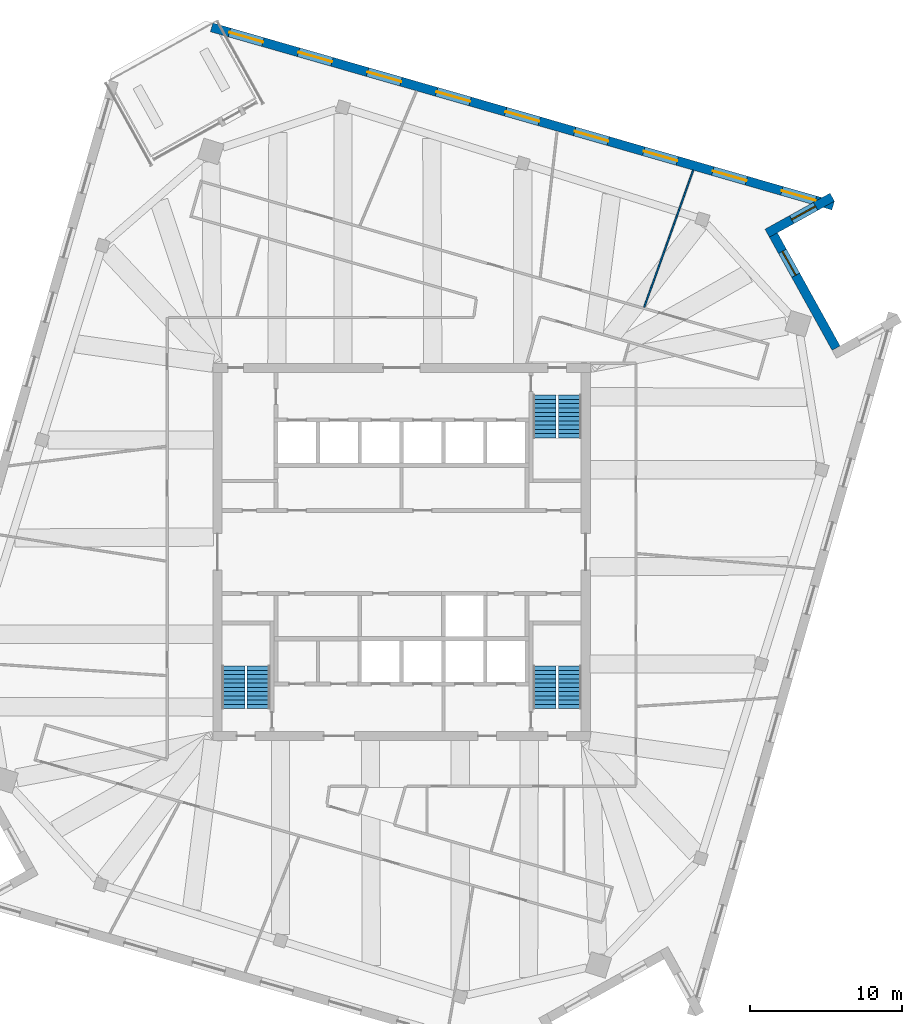
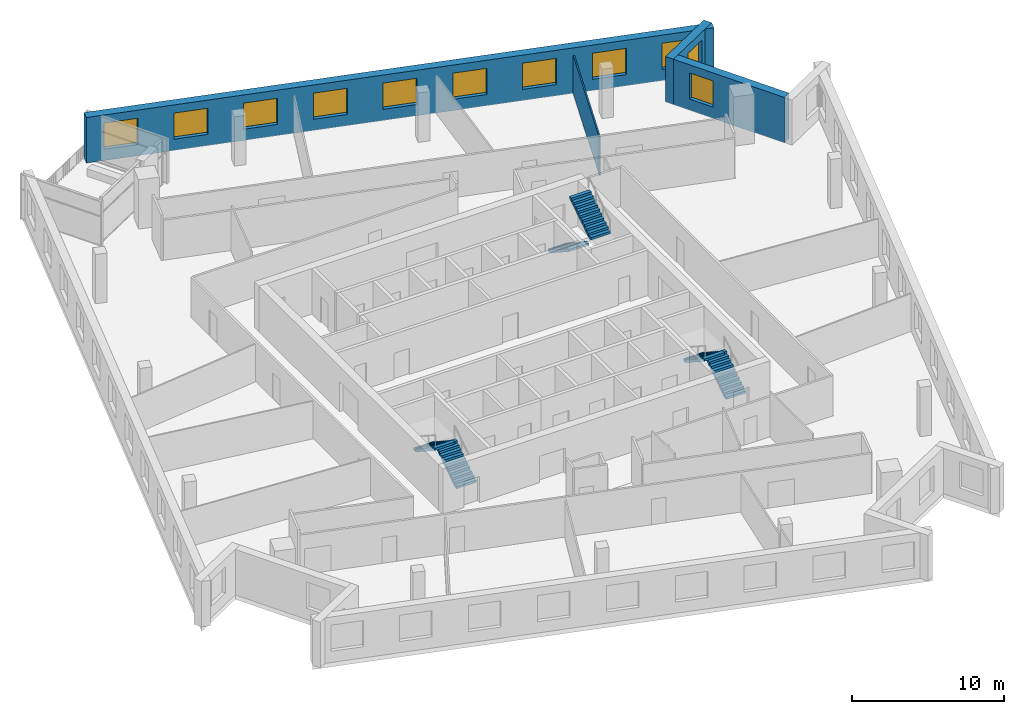
# One storey, part 12 of 15: 11 windows, 6 stair flights, 4 walls, 11 openings, 3 elements without a shape of their own.
"""IFC4 building model written with IfcOpenShell, lengths in metres."""

from ifc_helpers import new_model, si_unit, direction, frame, frame_2d, origin, place, context, subcontext, project, spatial, polyline, rectangle, outline, extrude, material, layer, layer_set, type_object, element, fill, aggregate, save


model = new_model("IFC4")

# Units and contexts
model_context = context("Model", 3, precision=1e-05, world=origin(), true_north=direction((0.0, 1.0)))
body_context = subcontext(model_context, "Body", "Model", "MODEL_VIEW")
ifc_project = project(units=[si_unit("LENGTHUNIT", "METRE"), si_unit("AREAUNIT", "SQUARE_METRE"), si_unit("VOLUMEUNIT", "CUBIC_METRE"), si_unit("PLANEANGLEUNIT", "RADIAN"), si_unit("MASSUNIT", "GRAM", prefix="KILO")], contexts=[model_context])

# Site, building, storey
site_placement = place(None, origin())
site = spatial("IfcSite", under=ifc_project, at=site_placement, CompositionType="ELEMENT")
building_placement = place(site_placement, origin())
building = spatial("IfcBuilding", under=site, at=building_placement, Name="Dilmun Exchange Tower", CompositionType="ELEMENT")
storey_placement = place(building_placement, frame((0.0, 0.0, 324.5)))
storey = spatial("IfcBuildingStorey", under=building, at=storey_placement, Name="L77", CompositionType="ELEMENT", Elevation=324.5)

# Wall
ifc_material_1 = material(Name="Partition 100")
ifc_layer_1 = layer(ifc_material_1, 0.10009765625)
ifc_layer_set_1 = layer_set([ifc_layer_1], Name="Partition 100")
wall_type_1 = type_object("IfcWallType", Name="Partition 100", PredefinedType="PARTITIONING", material=ifc_layer_set_1)
wall_1_placement = place(storey_placement, frame((15.9462890625, 16.085693359375, 0.0), z_axis=(0.0, 0.0, 1.0), x_axis=(0.336868591799, 0.941551672432, 0.0)))
element("IfcWall", 1, at=wall_1_placement, inside=storey, type_object=wall_type_1, Name="Partition", PredefinedType="PARTITIONING", context=body_context, shape_type="SweptSolid", body=[
    extrude(rectangle(XDim=9.56005859375, YDim=0.10009765625, at=frame_2d((4.780029296875, 0.0))), origin(), (0.0, 0.0, 1.0), 3.050048828125),
])

# Wall, opening, window
ifc_material_2 = material(Name="Precast concrete C50/60", Category="concrete")
ifc_layer_2 = layer(ifc_material_2, 0.60009765625)
ifc_layer_set_2 = layer_set([ifc_layer_2], Name="Precast concrete C50/60")
wall_type_2 = type_object("IfcWallType", Name="Precast stone-clad wall 600", PredefinedType="STANDARD", material=ifc_layer_set_2)
wall_2_placement = place(storey_placement, frame((28.555908203125, 13.39501953125, 0.0), z_axis=(0.0, 0.0, 1.0), x_axis=(-0.48481597855, 0.874616182644, 0.0)))
wall_2 = element("IfcWall", 2, at=wall_2_placement, inside=storey, type_object=wall_type_2, Name="Facade wall L77-13", PredefinedType="STANDARD", context=body_context, shape_type="SweptSolid", body=[
    extrude(rectangle(XDim=8.499755859375, YDim=0.60009765625, at=frame_2d((4.25, 0.0))), origin(), (0.0, 0.0, 1.0), 3.64990234375),
])
opening_1_placement = place(wall_2_placement, frame((5.47509765625, 0.0, 0.89990234375)))
opening_1 = element("IfcOpeningElement", 3, at=opening_1_placement, cuts=wall_2, Name="Opening W180-210", PredefinedType="OPENING", context=body_context, shape_type="SweptSolid", body=[
    extrude(rectangle(XDim=1.800048828125, YDim=2.10009765625, at=frame_2d((0.89990234375, 1.050048828125))), frame((0.0, 0.31005859375, 0.0), z_axis=(0.0, -1.0, 0.0), x_axis=(1.0, 0.0, 0.0)), (0.0, 0.0, 1.0), 0.6201171875),
])
ifc_material_3 = material(Name="Clear low-emissivity glass in aluminium frame", Category="aluminium")
window_type_1 = type_object("IfcWindowType", Name="Punched window 1800 x 2100", PartitioningType="DOUBLE_PANEL_VERTICAL", PredefinedType="WINDOW", material=ifc_material_3)
window_1_placement = place(opening_1_placement, origin())
window_1 = element("IfcWindow", 4, at=window_1_placement, inside=storey, type_object=window_type_1, Name="Window 14.2", OverallHeight=2.10009765625, OverallWidth=1.800048828125, PartitioningType="SINGLE_PANEL", PredefinedType="WINDOW", context=body_context, shape_type="SweptSolid", body=[
    extrude(rectangle(XDim=1.800048828125, YDim=2.10009765625, at=frame_2d((0.89990234375, 1.050048828125))), frame((0.0, 0.030029296875, 0.0), z_axis=(0.0, -1.0, 0.0), x_axis=(1.0, 0.0, 0.0)), (0.0, 0.0, 1.0), 0.06005859375),
])
fill(opening_1, window_1)

wall_3_placement = place(storey_placement, frame((24.027099609375, 20.9462890625, 0.0), z_axis=(0.0, 0.0, 1.0), x_axis=(0.874642406439, 0.484768667364, 0.0)))
wall_3 = element("IfcWall", 5, at=wall_3_placement, inside=storey, type_object=wall_type_2, Name="Facade wall L77-14", PredefinedType="STANDARD", context=body_context, shape_type="SweptSolid", body=[
    extrude(rectangle(XDim=4.8857421875, YDim=0.60009765625, at=frame_2d((2.44287109375, 0.0))), origin(), (0.0, 0.0, 1.0), 3.64990234375),
])
opening_2_placement = place(wall_3_placement, frame((1.8427734375, 0.0, 0.89990234375)))
opening_2 = element("IfcOpeningElement", 6, at=opening_2_placement, cuts=wall_3, Name="Opening W180-210", PredefinedType="OPENING", context=body_context, shape_type="SweptSolid", body=[
    extrude(rectangle(XDim=1.800048828125, YDim=2.10009765625, at=frame_2d((0.89990234375, 1.050048828125))), frame((0.0, 0.31005859375, 0.0), z_axis=(0.0, -1.0, 0.0), x_axis=(1.0, 0.0, 0.0)), (0.0, 0.0, 1.0), 0.6201171875),
])
window_2_placement = place(opening_2_placement, origin())
window_2 = element("IfcWindow", 7, at=window_2_placement, inside=storey, type_object=window_type_1, Name="Window 15.1", OverallHeight=2.10009765625, OverallWidth=1.800048828125, PartitioningType="SINGLE_PANEL", PredefinedType="WINDOW", context=body_context, shape_type="SweptSolid", body=[
    extrude(rectangle(XDim=1.800048828125, YDim=2.10009765625, at=frame_2d((0.89990234375, 1.050048828125))), frame((0.0, 0.030029296875, 0.0), z_axis=(0.0, -1.0, 0.0), x_axis=(1.0, 0.0, 0.0)), (0.0, 0.0, 1.0), 0.06005859375),
])
fill(opening_2, window_2)

# Wall, openings, windows
wall_4_placement = place(storey_placement, frame((28.36279296875, 22.763916015625, 0.0), z_axis=(0.0, 0.0, 1.0), x_axis=(-0.961261801459, 0.275636987823, 0.0)))
wall_4 = element("IfcWall", 8, at=wall_4_placement, inside=storey, type_object=wall_type_2, Name="Facade wall L77-15", PredefinedType="STANDARD", context=body_context, shape_type="SweptSolid", body=[
    extrude(rectangle(XDim=42.489501953125, YDim=0.60009765625, at=frame_2d((21.24462890625, 0.0))), origin(), (0.0, 0.0, 1.0), 3.64990234375),
])
opening_3_placement = place(wall_4_placement, frame((1.21044921875, 0.0, 0.89990234375)))
opening_3 = element("IfcOpeningElement", 9, at=opening_3_placement, cuts=wall_4, Name="Opening W230-210", PredefinedType="OPENING", context=body_context, shape_type="SweptSolid", body=[
    extrude(rectangle(XDim=2.300048828125, YDim=2.10009765625, at=frame_2d((1.14990234375, 1.050048828125))), frame((0.0, 0.31005859375, 0.0), z_axis=(0.0, -1.0, 0.0), x_axis=(1.0, 0.0, 0.0)), (0.0, 0.0, 1.0), 0.6201171875),
])
opening_4_placement = place(wall_4_placement, frame((5.931640625, 0.0, 0.89990234375)))
opening_4 = element("IfcOpeningElement", 10, at=opening_4_placement, cuts=wall_4, Name="Opening W230-210", PredefinedType="OPENING", context=body_context, shape_type="SweptSolid", body=[
    extrude(rectangle(XDim=2.300048828125, YDim=2.10009765625, at=frame_2d((1.14990234375, 1.050048828125))), frame((0.0, 0.31005859375, 0.0), z_axis=(0.0, -1.0, 0.0), x_axis=(1.0, 0.0, 0.0)), (0.0, 0.0, 1.0), 0.6201171875),
])
opening_5_placement = place(wall_4_placement, frame((10.652587890625, 0.0, 0.89990234375)))
opening_5 = element("IfcOpeningElement", 11, at=opening_5_placement, cuts=wall_4, Name="Opening W230-210", PredefinedType="OPENING", context=body_context, shape_type="SweptSolid", body=[
    extrude(rectangle(XDim=2.300048828125, YDim=2.10009765625, at=frame_2d((1.14990234375, 1.050048828125))), frame((0.0, 0.31005859375, 0.0), z_axis=(0.0, -1.0, 0.0), x_axis=(1.0, 0.0, 0.0)), (0.0, 0.0, 1.0), 0.6201171875),
])
opening_6_placement = place(wall_4_placement, frame((15.373779296875, 0.0, 0.89990234375)))
opening_6 = element("IfcOpeningElement", 12, at=opening_6_placement, cuts=wall_4, Name="Opening W230-210", PredefinedType="OPENING", context=body_context, shape_type="SweptSolid", body=[
    extrude(rectangle(XDim=2.300048828125, YDim=2.10009765625, at=frame_2d((1.14990234375, 1.050048828125))), frame((0.0, 0.31005859375, 0.0), z_axis=(0.0, -1.0, 0.0), x_axis=(1.0, 0.0, 0.0)), (0.0, 0.0, 1.0), 0.6201171875),
])
opening_7_placement = place(wall_4_placement, frame((20.0947265625, 0.0, 0.89990234375)))
opening_7 = element("IfcOpeningElement", 13, at=opening_7_placement, cuts=wall_4, Name="Opening W230-210", PredefinedType="OPENING", context=body_context, shape_type="SweptSolid", body=[
    extrude(rectangle(XDim=2.300048828125, YDim=2.10009765625, at=frame_2d((1.14990234375, 1.050048828125))), frame((0.0, 0.31005859375, 0.0), z_axis=(0.0, -1.0, 0.0), x_axis=(1.0, 0.0, 0.0)), (0.0, 0.0, 1.0), 0.6201171875),
])
opening_8_placement = place(wall_4_placement, frame((24.81591796875, 0.0, 0.89990234375)))
opening_8 = element("IfcOpeningElement", 14, at=opening_8_placement, cuts=wall_4, Name="Opening W230-210", PredefinedType="OPENING", context=body_context, shape_type="SweptSolid", body=[
    extrude(rectangle(XDim=2.300048828125, YDim=2.10009765625, at=frame_2d((1.14990234375, 1.050048828125))), frame((0.0, 0.31005859375, 0.0), z_axis=(0.0, -1.0, 0.0), x_axis=(1.0, 0.0, 0.0)), (0.0, 0.0, 1.0), 0.6201171875),
])
opening_9_placement = place(wall_4_placement, frame((29.536865234375, 0.0, 0.89990234375)))
opening_9 = element("IfcOpeningElement", 15, at=opening_9_placement, cuts=wall_4, Name="Opening W230-210", PredefinedType="OPENING", context=body_context, shape_type="SweptSolid", body=[
    extrude(rectangle(XDim=2.300048828125, YDim=2.10009765625, at=frame_2d((1.14990234375, 1.050048828125))), frame((0.0, 0.31005859375, 0.0), z_axis=(0.0, -1.0, 0.0), x_axis=(1.0, 0.0, 0.0)), (0.0, 0.0, 1.0), 0.6201171875),
])
opening_10_placement = place(wall_4_placement, frame((34.258056640625, 0.0, 0.89990234375)))
opening_10 = element("IfcOpeningElement", 16, at=opening_10_placement, cuts=wall_4, Name="Opening W230-210", PredefinedType="OPENING", context=body_context, shape_type="SweptSolid", body=[
    extrude(rectangle(XDim=2.300048828125, YDim=2.10009765625, at=frame_2d((1.14990234375, 1.050048828125))), frame((0.0, 0.31005859375, 0.0), z_axis=(0.0, -1.0, 0.0), x_axis=(1.0, 0.0, 0.0)), (0.0, 0.0, 1.0), 0.6201171875),
])
opening_11_placement = place(wall_4_placement, frame((38.97900390625, 0.0, 0.89990234375)))
opening_11 = element("IfcOpeningElement", 17, at=opening_11_placement, cuts=wall_4, Name="Opening W230-210", PredefinedType="OPENING", context=body_context, shape_type="SweptSolid", body=[
    extrude(rectangle(XDim=2.300048828125, YDim=2.10009765625, at=frame_2d((1.14990234375, 1.050048828125))), frame((0.0, 0.31005859375, 0.0), z_axis=(0.0, -1.0, 0.0), x_axis=(1.0, 0.0, 0.0)), (0.0, 0.0, 1.0), 0.6201171875),
])
window_type_2 = type_object("IfcWindowType", Name="Punched window 2300 x 2100", PartitioningType="DOUBLE_PANEL_VERTICAL", PredefinedType="WINDOW", material=ifc_material_3)
window_3_placement = place(opening_3_placement, origin())
window_3 = element("IfcWindow", 18, at=window_3_placement, inside=storey, type_object=window_type_2, Name="Window 16.1", OverallHeight=2.10009765625, OverallWidth=2.300048828125, PartitioningType="SINGLE_PANEL", PredefinedType="WINDOW", context=body_context, shape_type="SweptSolid", body=[
    extrude(rectangle(XDim=2.300048828125, YDim=2.10009765625, at=frame_2d((1.14990234375, 1.050048828125))), frame((0.0, 0.030029296875, 0.0), z_axis=(0.0, -1.0, 0.0), x_axis=(1.0, 0.0, 0.0)), (0.0, 0.0, 1.0), 0.06005859375),
])
fill(opening_3, window_3)
window_4_placement = place(opening_4_placement, origin())
window_4 = element("IfcWindow", 19, at=window_4_placement, inside=storey, type_object=window_type_2, Name="Window 16.2", OverallHeight=2.10009765625, OverallWidth=2.300048828125, PartitioningType="SINGLE_PANEL", PredefinedType="WINDOW", context=body_context, shape_type="SweptSolid", body=[
    extrude(rectangle(XDim=2.300048828125, YDim=2.10009765625, at=frame_2d((1.14990234375, 1.050048828125))), frame((0.0, 0.030029296875, 0.0), z_axis=(0.0, -1.0, 0.0), x_axis=(1.0, 0.0, 0.0)), (0.0, 0.0, 1.0), 0.06005859375),
])
fill(opening_4, window_4)
window_5_placement = place(opening_5_placement, origin())
window_5 = element("IfcWindow", 20, at=window_5_placement, inside=storey, type_object=window_type_2, Name="Window 16.3", OverallHeight=2.10009765625, OverallWidth=2.300048828125, PartitioningType="SINGLE_PANEL", PredefinedType="WINDOW", context=body_context, shape_type="SweptSolid", body=[
    extrude(rectangle(XDim=2.300048828125, YDim=2.10009765625, at=frame_2d((1.14990234375, 1.050048828125))), frame((0.0, 0.030029296875, 0.0), z_axis=(0.0, -1.0, 0.0), x_axis=(1.0, 0.0, 0.0)), (0.0, 0.0, 1.0), 0.06005859375),
])
fill(opening_5, window_5)
window_6_placement = place(opening_6_placement, origin())
window_6 = element("IfcWindow", 21, at=window_6_placement, inside=storey, type_object=window_type_2, Name="Window 16.4", OverallHeight=2.10009765625, OverallWidth=2.300048828125, PartitioningType="SINGLE_PANEL", PredefinedType="WINDOW", context=body_context, shape_type="SweptSolid", body=[
    extrude(rectangle(XDim=2.300048828125, YDim=2.10009765625, at=frame_2d((1.14990234375, 1.050048828125))), frame((0.0, 0.030029296875, 0.0), z_axis=(0.0, -1.0, 0.0), x_axis=(1.0, 0.0, 0.0)), (0.0, 0.0, 1.0), 0.06005859375),
])
fill(opening_6, window_6)
window_7_placement = place(opening_7_placement, origin())
window_7 = element("IfcWindow", 22, at=window_7_placement, inside=storey, type_object=window_type_2, Name="Window 16.5", OverallHeight=2.10009765625, OverallWidth=2.300048828125, PartitioningType="SINGLE_PANEL", PredefinedType="WINDOW", context=body_context, shape_type="SweptSolid", body=[
    extrude(rectangle(XDim=2.300048828125, YDim=2.10009765625, at=frame_2d((1.14990234375, 1.050048828125))), frame((0.0, 0.030029296875, 0.0), z_axis=(0.0, -1.0, 0.0), x_axis=(1.0, 0.0, 0.0)), (0.0, 0.0, 1.0), 0.06005859375),
])
fill(opening_7, window_7)
window_8_placement = place(opening_8_placement, origin())
window_8 = element("IfcWindow", 23, at=window_8_placement, inside=storey, type_object=window_type_2, Name="Window 16.6", OverallHeight=2.10009765625, OverallWidth=2.300048828125, PartitioningType="SINGLE_PANEL", PredefinedType="WINDOW", context=body_context, shape_type="SweptSolid", body=[
    extrude(rectangle(XDim=2.300048828125, YDim=2.10009765625, at=frame_2d((1.14990234375, 1.050048828125))), frame((0.0, 0.030029296875, 0.0), z_axis=(0.0, -1.0, 0.0), x_axis=(1.0, 0.0, 0.0)), (0.0, 0.0, 1.0), 0.06005859375),
])
fill(opening_8, window_8)
window_9_placement = place(opening_9_placement, origin())
window_9 = element("IfcWindow", 24, at=window_9_placement, inside=storey, type_object=window_type_2, Name="Window 16.7", OverallHeight=2.10009765625, OverallWidth=2.300048828125, PartitioningType="SINGLE_PANEL", PredefinedType="WINDOW", context=body_context, shape_type="SweptSolid", body=[
    extrude(rectangle(XDim=2.300048828125, YDim=2.10009765625, at=frame_2d((1.14990234375, 1.050048828125))), frame((0.0, 0.030029296875, 0.0), z_axis=(0.0, -1.0, 0.0), x_axis=(1.0, 0.0, 0.0)), (0.0, 0.0, 1.0), 0.06005859375),
])
fill(opening_9, window_9)
window_10_placement = place(opening_10_placement, origin())
window_10 = element("IfcWindow", 25, at=window_10_placement, inside=storey, type_object=window_type_2, Name="Window 16.8", OverallHeight=2.10009765625, OverallWidth=2.300048828125, PartitioningType="SINGLE_PANEL", PredefinedType="WINDOW", context=body_context, shape_type="SweptSolid", body=[
    extrude(rectangle(XDim=2.300048828125, YDim=2.10009765625, at=frame_2d((1.14990234375, 1.050048828125))), frame((0.0, 0.030029296875, 0.0), z_axis=(0.0, -1.0, 0.0), x_axis=(1.0, 0.0, 0.0)), (0.0, 0.0, 1.0), 0.06005859375),
])
fill(opening_10, window_10)
window_11_placement = place(opening_11_placement, origin())
window_11 = element("IfcWindow", 26, at=window_11_placement, inside=storey, type_object=window_type_2, Name="Window 16.9", OverallHeight=2.10009765625, OverallWidth=2.300048828125, PartitioningType="SINGLE_PANEL", PredefinedType="WINDOW", context=body_context, shape_type="SweptSolid", body=[
    extrude(rectangle(XDim=2.300048828125, YDim=2.10009765625, at=frame_2d((1.14990234375, 1.050048828125))), frame((0.0, 0.030029296875, 0.0), z_axis=(0.0, -1.0, 0.0), x_axis=(1.0, 0.0, 0.0)), (0.0, 0.0, 1.0), 0.06005859375),
])
fill(opening_11, window_11)

# Stair, stair flights
ifc_material_4 = material(Name="Concrete C40/50", Category="concrete")
stair_type = type_object("IfcStairType", Name="Exit stair 1500 half-turn", PredefinedType="HALF_TURN_STAIR", material=ifc_material_4)
stair_1_placement = place(storey_placement, origin())
stair_1 = element("IfcStair", 27, at=stair_1_placement, inside=storey, type_object=stair_type, Name="L77 Protected exit stair ST1", PredefinedType="HALF_TURN_STAIR")
stair_flight_type = type_object("IfcStairFlightType", Name="Exit stair flight 1500", PredefinedType="STRAIGHT", material=ifc_material_4)
stair_flight_1_placement = place(storey_placement, frame((9.39990234375, 10.300048828125, 0.0), z_axis=(0.0, 0.0, 1.0), x_axis=(0.0, -1.0, 0.0)))
stair_flight_1 = element("IfcStairFlight", 28, at=stair_flight_1_placement, type_object=stair_flight_type, Name="ST1 flight 1", NumberOfRisers=11, NumberOfTreads=10, PredefinedType="STRAIGHT", RiserHeight=0.181818182, TreadLength=0.28, context=body_context, shape_type="SweptSolid", body=[
    extrude(outline(polyline([(0.0, 0.0), (0.0, 0.181884765625), (0.280029296875, 0.181884765625), (0.280029296875, 0.363525390625), (0.56005859375, 0.363525390625), (0.56005859375, 0.54541015625), (0.840087890625, 0.54541015625), (0.840087890625, 0.727294921875), (1.1201171875, 0.727294921875), (1.1201171875, 0.9091796875), (1.39990234375, 0.9091796875), (1.39990234375, 1.0908203125), (1.679931640625, 1.0908203125), (1.679931640625, 1.272705078125), (1.9599609375, 1.272705078125), (1.9599609375, 1.45458984375), (2.239990234375, 1.45458984375), (2.239990234375, 1.636474609375), (2.52001953125, 1.636474609375), (2.52001953125, 1.818115234375), (2.800048828125, 1.818115234375), (2.800048828125, 2.0), (2.800048828125, 1.639404296875), (0.275146484375, 0.0), (0.0, 0.0)])), frame((0.0, 0.75, 0.0), z_axis=(0.0, -1.0, 0.0), x_axis=(1.0, 0.0, 0.0)), (0.0, 0.0, 1.0), 1.5),
])
stair_flight_2_placement = place(storey_placement, frame((11.050048828125, 7.5, 2.0), z_axis=(0.0, 0.0, 1.0), x_axis=(0.0, 1.0, 0.0)))
stair_flight_2 = element("IfcStairFlight", 29, at=stair_flight_2_placement, type_object=stair_flight_type, Name="ST1 flight 2", NumberOfRisers=11, NumberOfTreads=10, PredefinedType="STRAIGHT", RiserHeight=0.181818182, TreadLength=0.28, context=body_context, shape_type="SweptSolid", body=[
    extrude(outline(polyline([(0.0, 0.0), (0.0, 0.181884765625), (0.280029296875, 0.181884765625), (0.280029296875, 0.363525390625), (0.56005859375, 0.363525390625), (0.56005859375, 0.54541015625), (0.840087890625, 0.54541015625), (0.840087890625, 0.727294921875), (1.1201171875, 0.727294921875), (1.1201171875, 0.9091796875), (1.39990234375, 0.9091796875), (1.39990234375, 1.0908203125), (1.679931640625, 1.0908203125), (1.679931640625, 1.272705078125), (1.9599609375, 1.272705078125), (1.9599609375, 1.45458984375), (2.239990234375, 1.45458984375), (2.239990234375, 1.636474609375), (2.52001953125, 1.636474609375), (2.52001953125, 1.818115234375), (2.800048828125, 1.818115234375), (2.800048828125, 2.0), (2.800048828125, 1.639404296875), (0.275146484375, 0.0), (0.0, 0.0)])), frame((0.0, 0.75, 0.0), z_axis=(0.0, -1.0, 0.0), x_axis=(1.0, 0.0, 0.0)), (0.0, 0.0, 1.0), 1.5),
])
aggregate(stair_1, [stair_flight_1, stair_flight_2])

stair_2_placement = place(storey_placement, origin())
stair_2 = element("IfcStair", 30, at=stair_2_placement, inside=storey, type_object=stair_type, Name="L77 Protected exit stair ST2", PredefinedType="HALF_TURN_STAIR")
stair_flight_3_placement = place(storey_placement, frame((-9.39990234375, -10.300048828125, 0.0), z_axis=(0.0, 0.0, 1.0), x_axis=(0.0, 1.0, 0.0)))
stair_flight_3 = element("IfcStairFlight", 31, at=stair_flight_3_placement, type_object=stair_flight_type, Name="ST2 flight 1", NumberOfRisers=11, NumberOfTreads=10, PredefinedType="STRAIGHT", RiserHeight=0.181818182, TreadLength=0.28, context=body_context, shape_type="SweptSolid", body=[
    extrude(outline(polyline([(0.0, 0.0), (0.0, 0.181884765625), (0.280029296875, 0.181884765625), (0.280029296875, 0.363525390625), (0.56005859375, 0.363525390625), (0.56005859375, 0.54541015625), (0.840087890625, 0.54541015625), (0.840087890625, 0.727294921875), (1.1201171875, 0.727294921875), (1.1201171875, 0.9091796875), (1.39990234375, 0.9091796875), (1.39990234375, 1.0908203125), (1.679931640625, 1.0908203125), (1.679931640625, 1.272705078125), (1.9599609375, 1.272705078125), (1.9599609375, 1.45458984375), (2.239990234375, 1.45458984375), (2.239990234375, 1.636474609375), (2.52001953125, 1.636474609375), (2.52001953125, 1.818115234375), (2.800048828125, 1.818115234375), (2.800048828125, 2.0), (2.800048828125, 1.639404296875), (0.275146484375, 0.0), (0.0, 0.0)])), frame((0.0, 0.75, 0.0), z_axis=(0.0, -1.0, 0.0), x_axis=(1.0, 0.0, 0.0)), (0.0, 0.0, 1.0), 1.5),
])
stair_flight_4_placement = place(storey_placement, frame((-11.050048828125, -7.5, 2.0), z_axis=(0.0, 0.0, 1.0), x_axis=(0.0, -1.0, 0.0)))
stair_flight_4 = element("IfcStairFlight", 32, at=stair_flight_4_placement, type_object=stair_flight_type, Name="ST2 flight 2", NumberOfRisers=11, NumberOfTreads=10, PredefinedType="STRAIGHT", RiserHeight=0.181818182, TreadLength=0.28, context=body_context, shape_type="SweptSolid", body=[
    extrude(outline(polyline([(0.0, 0.0), (0.0, 0.181884765625), (0.280029296875, 0.181884765625), (0.280029296875, 0.363525390625), (0.56005859375, 0.363525390625), (0.56005859375, 0.54541015625), (0.840087890625, 0.54541015625), (0.840087890625, 0.727294921875), (1.1201171875, 0.727294921875), (1.1201171875, 0.9091796875), (1.39990234375, 0.9091796875), (1.39990234375, 1.0908203125), (1.679931640625, 1.0908203125), (1.679931640625, 1.272705078125), (1.9599609375, 1.272705078125), (1.9599609375, 1.45458984375), (2.239990234375, 1.45458984375), (2.239990234375, 1.636474609375), (2.52001953125, 1.636474609375), (2.52001953125, 1.818115234375), (2.800048828125, 1.818115234375), (2.800048828125, 2.0), (2.800048828125, 1.639404296875), (0.275146484375, 0.0), (0.0, 0.0)])), frame((0.0, 0.75, 0.0), z_axis=(0.0, -1.0, 0.0), x_axis=(1.0, 0.0, 0.0)), (0.0, 0.0, 1.0), 1.5),
])
aggregate(stair_2, [stair_flight_3, stair_flight_4])

stair_3_placement = place(storey_placement, origin())
stair_3 = element("IfcStair", 33, at=stair_3_placement, inside=storey, type_object=stair_type, Name="L77 Protected exit stair ST3", PredefinedType="HALF_TURN_STAIR")
stair_flight_5_placement = place(storey_placement, frame((11.050048828125, -10.300048828125, 0.0), z_axis=(0.0, 0.0, 1.0), x_axis=(0.0, 1.0, 0.0)))
stair_flight_5 = element("IfcStairFlight", 34, at=stair_flight_5_placement, type_object=stair_flight_type, Name="ST3 flight 1", NumberOfRisers=11, NumberOfTreads=10, PredefinedType="STRAIGHT", RiserHeight=0.181818182, TreadLength=0.28, context=body_context, shape_type="SweptSolid", body=[
    extrude(outline(polyline([(0.0, 0.0), (0.0, 0.181884765625), (0.280029296875, 0.181884765625), (0.280029296875, 0.363525390625), (0.56005859375, 0.363525390625), (0.56005859375, 0.54541015625), (0.840087890625, 0.54541015625), (0.840087890625, 0.727294921875), (1.1201171875, 0.727294921875), (1.1201171875, 0.9091796875), (1.39990234375, 0.9091796875), (1.39990234375, 1.0908203125), (1.679931640625, 1.0908203125), (1.679931640625, 1.272705078125), (1.9599609375, 1.272705078125), (1.9599609375, 1.45458984375), (2.239990234375, 1.45458984375), (2.239990234375, 1.636474609375), (2.52001953125, 1.636474609375), (2.52001953125, 1.818115234375), (2.800048828125, 1.818115234375), (2.800048828125, 2.0), (2.800048828125, 1.639404296875), (0.275146484375, 0.0), (0.0, 0.0)])), frame((0.0, 0.75, 0.0), z_axis=(0.0, -1.0, 0.0), x_axis=(1.0, 0.0, 0.0)), (0.0, 0.0, 1.0), 1.5),
])
stair_flight_6_placement = place(storey_placement, frame((9.39990234375, -7.5, 2.0), z_axis=(0.0, 0.0, 1.0), x_axis=(0.0, -1.0, 0.0)))
stair_flight_6 = element("IfcStairFlight", 35, at=stair_flight_6_placement, type_object=stair_flight_type, Name="ST3 flight 2", NumberOfRisers=11, NumberOfTreads=10, PredefinedType="STRAIGHT", RiserHeight=0.181818182, TreadLength=0.28, context=body_context, shape_type="SweptSolid", body=[
    extrude(outline(polyline([(0.0, 0.0), (0.0, 0.181884765625), (0.280029296875, 0.181884765625), (0.280029296875, 0.363525390625), (0.56005859375, 0.363525390625), (0.56005859375, 0.54541015625), (0.840087890625, 0.54541015625), (0.840087890625, 0.727294921875), (1.1201171875, 0.727294921875), (1.1201171875, 0.9091796875), (1.39990234375, 0.9091796875), (1.39990234375, 1.0908203125), (1.679931640625, 1.0908203125), (1.679931640625, 1.272705078125), (1.9599609375, 1.272705078125), (1.9599609375, 1.45458984375), (2.239990234375, 1.45458984375), (2.239990234375, 1.636474609375), (2.52001953125, 1.636474609375), (2.52001953125, 1.818115234375), (2.800048828125, 1.818115234375), (2.800048828125, 2.0), (2.800048828125, 1.639404296875), (0.275146484375, 0.0), (0.0, 0.0)])), frame((0.0, 0.75, 0.0), z_axis=(0.0, -1.0, 0.0), x_axis=(1.0, 0.0, 0.0)), (0.0, 0.0, 1.0), 1.5),
])
aggregate(stair_3, [stair_flight_5, stair_flight_6])

save(model, "model.ifc")
